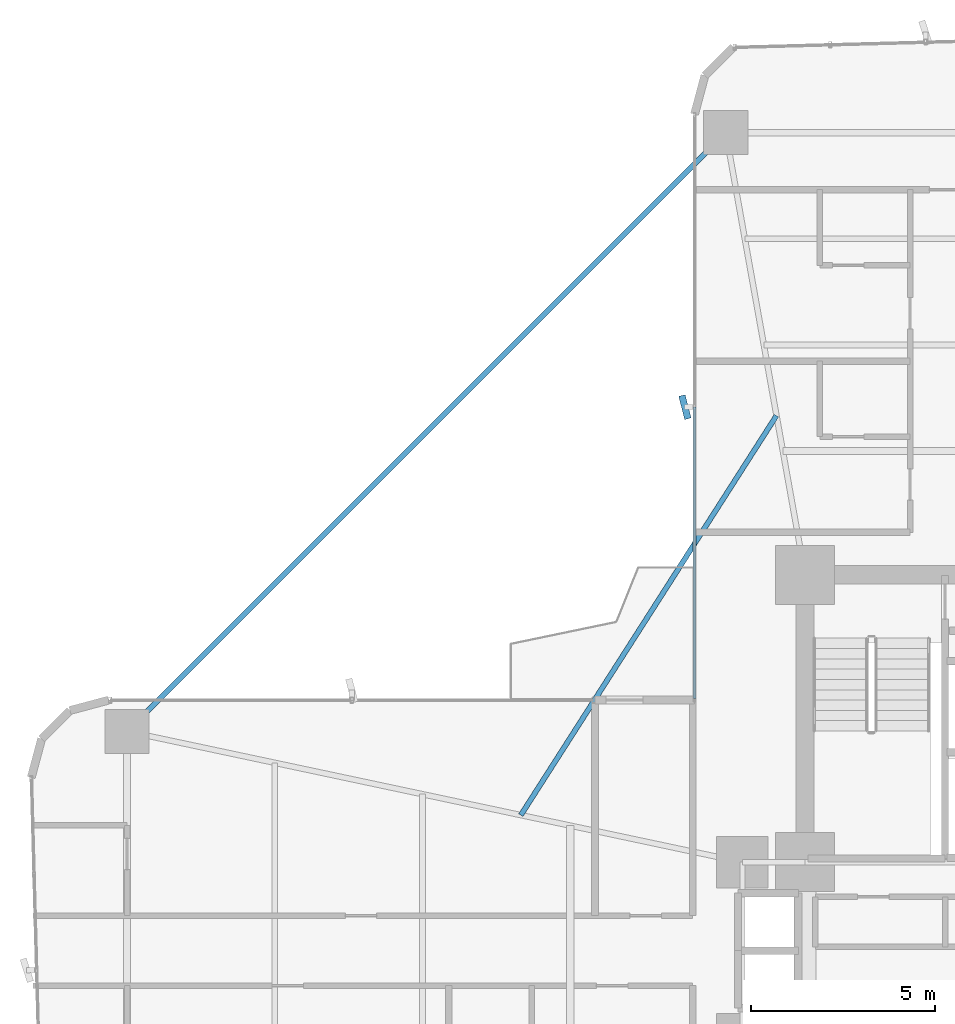
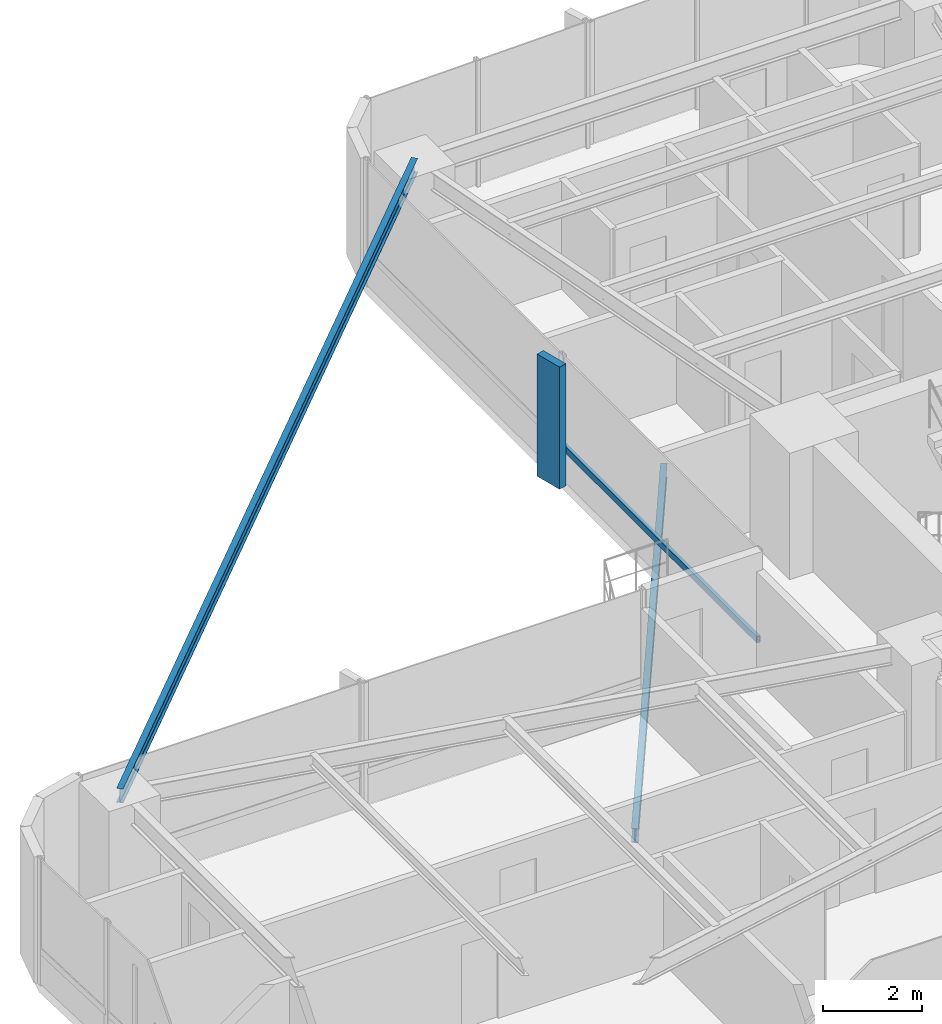
# One storey, part 17 of 25: 2 beams, 2 members, 1 element without a shape of its own.
"""IFC4 building model written with IfcOpenShell, lengths in metres."""

from ifc_helpers import new_model, si_unit, direction, frame, origin, origin_2d, place, context, subcontext, project, spatial, rectangle, hollow_rectangle, i_section, extrude, source, transform, mapped, material, material_profile, profile_set, type_object, element, aggregate, save


model = new_model("IFC4")

# Units and contexts
model_context = context("Model", 3, precision=1e-05, world=origin(), true_north=direction((0.0, 1.0)))
body_context = subcontext(model_context, "Body", "Model", "MODEL_VIEW")
ifc_project = project(units=[si_unit("LENGTHUNIT", "METRE"), si_unit("AREAUNIT", "SQUARE_METRE"), si_unit("VOLUMEUNIT", "CUBIC_METRE"), si_unit("PLANEANGLEUNIT", "RADIAN"), si_unit("MASSUNIT", "GRAM", prefix="KILO")], contexts=[model_context])

# Site, building, storey
site_placement = place(None, origin())
site = spatial("IfcSite", under=ifc_project, at=site_placement, CompositionType="ELEMENT")
building_placement = place(site_placement, origin())
building = spatial("IfcBuilding", under=site, at=building_placement, Name="Sahyath Konkavel Grand Hotel", CompositionType="ELEMENT")
storey_placement = place(building_placement, frame((0.0, 0.0, 54.39990234375)))
storey = spatial("IfcBuildingStorey", under=building, at=storey_placement, Name="L14", CompositionType="ELEMENT", Elevation=54.39990234375)

# Beam
ifc_material_1 = material(Name="Steel E350", Category="steel")
ifc_material_profile_1 = material_profile(ifc_material_1, i_section(OverallWidth=0.139892578125, OverallDepth=0.35009765625, WebThickness=0.008056640625, FlangeThickness=0.01416015625, FilletRadius=0.013916015625, at=origin_2d()), Name="ISMB 350")
ifc_profile_set_1 = profile_set([ifc_material_profile_1], Name="Steel E350")
beam_type_1 = type_object("IfcBeamType", Name="BM-ISMB350", PredefinedType="BEAM", material=ifc_profile_set_1)
shared_shape_1 = source(origin(), body_context, "Body", "SweptSolid", [
    extrude(i_section(OverallWidth=0.139892578125, OverallDepth=0.35009765625, WebThickness=0.008056640625, FlangeThickness=0.01416015625, FilletRadius=0.013916015625, at=origin_2d()), origin(), (0.0, 0.0, 1.0), 22.98095703125),
])
beam_1_placement = place(storey_placement, frame((-5.949951171875, 22.199951171875, 2.93505859375), z_axis=(-0.707106781187, -0.707106781187, 0.0), x_axis=(0.707106781187, -0.707106781187, 0.0)))
element("IfcBeam", 1, at=beam_1_placement, inside=storey, type_object=beam_type_1, Name="L14 Re-Entrant Tie Beam NW", PredefinedType="BEAM", context=body_context, shape_type="MappedRepresentation", body=[
    mapped(shared_shape_1, transform((0.0, 0.0, 0.0), scale=1.0)),
])

# Curtain wall, members
ifc_material_2 = material(Name="Anodised Bronze Aluminium & Low-E Glazing", Category="aluminium")
curtain_wall_type = type_object("IfcCurtainWallType", Name="CW-ZONE1", PredefinedType="NOTDEFINED", material=ifc_material_2)
curtain_wall_placement = place(storey_placement, origin())
curtain_wall = element("IfcCurtainWall", 2, at=curtain_wall_placement, inside=storey, type_object=curtain_wall_type, Name="L14 Unitised Curtain Wall F15", PredefinedType="NOTDEFINED")
ifc_material_3 = material(Name="Warm Buff Sandstone Cladding on Concrete C50/60", Category="masonry")
ifc_material_profile_2 = material_profile(ifc_material_3, rectangle(XDim=0.179931640625, YDim=0.64990234375, at=origin_2d()), Name="FIN 180x650")
ifc_profile_set_2 = profile_set([ifc_material_profile_2], Name="Warm Buff Sandstone Cladding on Concrete C50/60")
member_type_1 = type_object("IfcMemberType", Name="FIN-SANDSTONE-650", PredefinedType="MULLION", material=ifc_profile_set_2)
shared_shape_2 = source(origin(), body_context, "Body", "SweptSolid", [
    extrude(rectangle(XDim=0.179931640625, YDim=0.64990234375, at=origin_2d()), origin(), (0.0, 0.0, 1.0), 3.010009765625),
])
member_1_placement = place(storey_placement, frame((-7.06005859375, 14.75, 0.050048828125), z_axis=(0.0, 0.0, 1.0), x_axis=(0.96862655095, 0.248520833726, 0.0)))
member_1 = element("IfcMember", 3, at=member_1_placement, type_object=member_type_1, Name="L14 Sandstone Vertical Solar Fin FIN F15-1", PredefinedType="MULLION", context=body_context, shape_type="MappedRepresentation", body=[
    mapped(shared_shape_2, transform((0.0, 0.0, 0.0), scale=1.0)),
])
ifc_material_4 = material(Name="Anodised Bronze Aluminium", Category="aluminium")
ifc_material_profile_3 = material_profile(ifc_material_4, hollow_rectangle(XDim=0.080078125, YDim=0.159912109375, WallThickness=0.006103515625, at=origin_2d()), Name="RHS 160x80x6")
ifc_profile_set_3 = profile_set([ifc_material_profile_3], Name="Anodised Bronze Aluminium")
member_type_2 = type_object("IfcMemberType", Name="CW-TRN-160", PredefinedType="USERDEFINED", material=ifc_profile_set_3)
shared_shape_3 = source(origin(), body_context, "Body", "SweptSolid", [
    extrude(hollow_rectangle(XDim=0.080078125, YDim=0.159912109375, WallThickness=0.006103515625, at=origin_2d()), origin(), (0.0, 0.0, 1.0), 7.909912109375),
])
member_2_placement = place(storey_placement, frame((-6.800048828125, 14.75, 0.85009765625), z_axis=(0.0, -1.0, 0.0), x_axis=(1.0, 0.0, 0.0)))
member_2 = element("IfcMember", 4, at=member_2_placement, type_object=member_type_2, Name="L14 Curtain Wall Transom F15-1-spandrel", ObjectType="TRANSOM", PredefinedType="USERDEFINED", context=body_context, shape_type="MappedRepresentation", body=[
    mapped(shared_shape_3, transform((0.0, 0.0, 0.0), scale=1.0)),
])
aggregate(curtain_wall, [member_1, member_2])

# Beam
ifc_material_profile_4 = material_profile(ifc_material_1, i_section(OverallWidth=0.139892578125, OverallDepth=0.35009765625, WebThickness=0.008056640625, FlangeThickness=0.01416015625, FilletRadius=0.013916015625, at=origin_2d()), Name="ISMB 350")
ifc_profile_set_4 = profile_set([ifc_material_profile_4], Name="Steel E350")
beam_type_2 = type_object("IfcBeamType", Name="BM-BALC-CANT", PredefinedType="BEAM", material=ifc_profile_set_4)
shared_shape_4 = source(origin(), body_context, "Body", "SweptSolid", [
    extrude(i_section(OverallWidth=0.139892578125, OverallDepth=0.35009765625, WebThickness=0.008056640625, FlangeThickness=0.01416015625, FilletRadius=0.013916015625, at=origin_2d()), origin(), (0.0, 0.0, 1.0), 12.871826171875),
])
beam_2_placement = place(storey_placement, frame((-4.573974609375, 14.52001953125, -0.414794921875), z_axis=(-0.539003102535, -0.842303778608, 0.0), x_axis=(0.842303778608, -0.539003102535, 0.0)))
element("IfcBeam", 5, at=beam_2_placement, inside=storey, type_object=beam_type_2, Name="L14 Balcony Cantilever Support Beam NW", PredefinedType="BEAM", context=body_context, shape_type="MappedRepresentation", body=[
    mapped(shared_shape_4, transform((0.0, 0.0, 0.0), scale=1.0)),
])

save(model, "model.ifc")
